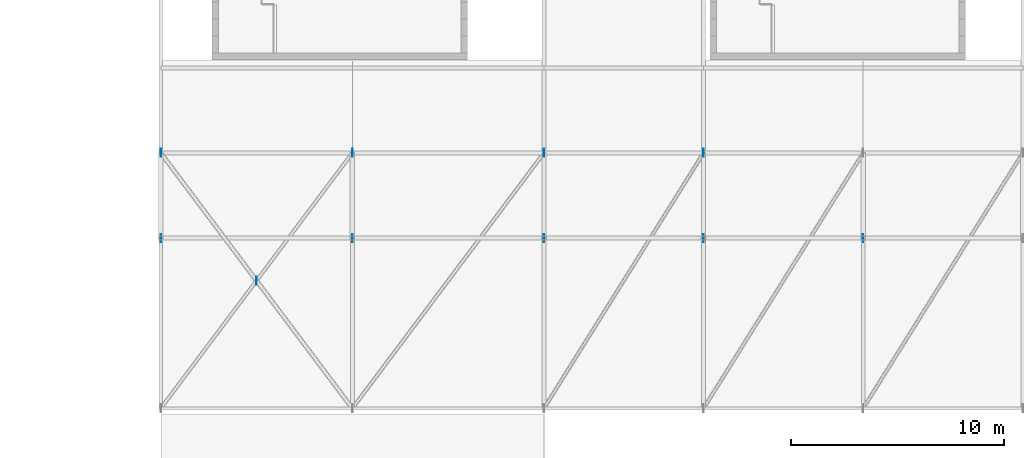
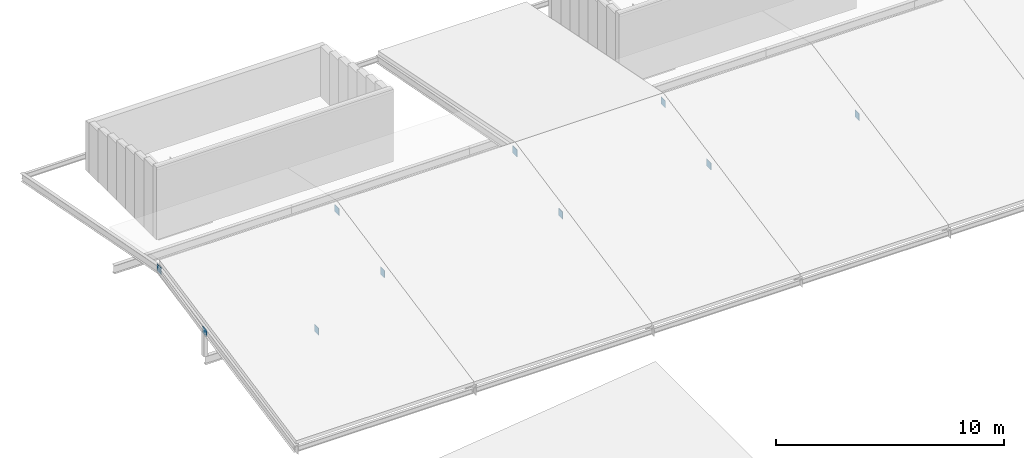
# One storey, part 71 of 93: 10 plates.
"""IFC4 building model written with IfcOpenShell, lengths in metres."""

import ifcopenshell
import ifcopenshell.guid

model = None  # the IFC model being written
_history = None  # IfcOwnerHistory: only IFC2X3 demands one
_inside = {}  # id of a spatial element -> (the spatial element, [elements in it])
_under = {}  # id of a project, library or spatial element -> (it, [spatial elements below it])
_declared = {}  # id of a project -> (the project, [libraries it declares])
_typed = {}  # id of a type object -> (the type object, [elements of that type])
_made_of = {}  # id of a material, layer set ... -> (it, [elements and type objects made of it])


def new_model(schema):
    """Start an empty IFC model of exactly this schema.

    Asked for "IFC4X3", IfcOpenShell would pick the latest addendum, in which some entities
    have other attributes; the version numbers below select the first issue.
    IFC2X3 requires an IfcOwnerHistory on every rooted entity: one is made here for all.
    """
    global model, _history
    if schema == "IFC4X3":
        model = ifcopenshell.file(schema_version=(4, 3, 0, 0))
    else:
        model = ifcopenshell.file(schema=schema)
    _inside.clear()
    _under.clear()
    _declared.clear()
    _typed.clear()
    _made_of.clear()
    _history = None
    if model.schema == "IFC2X3":
        org = make("IfcOrganization", Name="unknown")
        user = make(
            "IfcPersonAndOrganization",
            ThePerson=make("IfcPerson", FamilyName="unknown"),
            TheOrganization=org,
        )
        app = make(
            "IfcApplication",
            ApplicationDeveloper=org,
            Version="unknown",
            ApplicationFullName="unknown",
            ApplicationIdentifier="unknown",
        )
        _history = make(
            "IfcOwnerHistory",
            OwningUser=user,
            OwningApplication=app,
            ChangeAction="ADDED",
            CreationDate=0,
        )
    return model


def make(cls, **values):
    """One entity of the class cls with the attributes given. An attribute that is None is left unset."""
    return model.create_entity(
        cls, **{name: value for name, value in values.items() if value is not None}
    )


def rooted(cls, **values):
    """An entity with a GlobalId (a new one), such as an element, a storey or a relation."""
    return make(cls, GlobalId=ifcopenshell.guid.new(), OwnerHistory=_history, **values)


def si_unit(unit_type, name, prefix=None):
    """IfcSIUnit, for example si_unit("LENGTHUNIT", "METRE", prefix="MILLI")."""
    return make("IfcSIUnit", UnitType=unit_type, Prefix=prefix, Name=name)


def assignment(units):
    """IfcUnitAssignment: the units of a project."""
    return None if units is None else make("IfcUnitAssignment", Units=units)


def point(xyz):
    """IfcCartesianPoint."""
    return None if xyz is None else make("IfcCartesianPoint", Coordinates=xyz)


def direction(xyz):
    """IfcDirection."""
    return None if xyz is None else make("IfcDirection", DirectionRatios=xyz)


def frame(location, z_axis=None, x_axis=None):
    """IfcAxis2Placement3D, a coordinate frame: its origin and axes. An axis left out is left unset."""
    return make(
        "IfcAxis2Placement3D",
        Location=point(location),
        Axis=direction(z_axis),
        RefDirection=direction(x_axis),
    )


def frame_2d(location, x_axis=None):
    """IfcAxis2Placement2D, a coordinate frame in the plane: its origin and x axis."""
    return make(
        "IfcAxis2Placement2D", Location=point(location), RefDirection=direction(x_axis)
    )


def origin():
    """The frame at (0, 0, 0) with its axes left unset."""
    return frame((0.0, 0.0, 0.0))


def origin_2d():
    """The frame at (0, 0) in the plane with its x axis left unset."""
    return frame_2d((0.0, 0.0))


def place(relative_to, where):
    """IfcLocalPlacement: puts the frame where relative to a parent placement (None: the world)."""
    return make(
        "IfcLocalPlacement", PlacementRelTo=relative_to, RelativePlacement=where
    )


def context(
    kind, dimensions, precision=None, world=None, true_north=None, identifier=None
):
    """IfcGeometricRepresentationContext, for example the 3D "Model" context."""
    return make(
        "IfcGeometricRepresentationContext",
        ContextIdentifier=identifier,
        ContextType=kind,
        CoordinateSpaceDimension=dimensions,
        Precision=precision,
        WorldCoordinateSystem=world,
        TrueNorth=true_north,
    )


def subcontext(parent, identifier, kind, view, scale=None):
    """IfcGeometricRepresentationSubContext, for example "Body" below "Model"."""
    return make(
        "IfcGeometricRepresentationSubContext",
        ContextIdentifier=identifier,
        ContextType=kind,
        ParentContext=parent,
        TargetScale=scale,
        TargetView=view,
    )


def project(units=None, contexts=None):
    """IfcProject with its units and contexts."""
    return rooted(
        "IfcProject",
        Name="project",
        RepresentationContexts=contexts,
        UnitsInContext=assignment(units),
    )


def spatial(cls, under=None, at=None, **own):
    """A site, building, storey or space (cls), placed at a placement, below another one or the project."""
    s = rooted(cls, ObjectPlacement=at, **own)
    if under is not None:
        _under.setdefault(under.id(), (under, []))[1].append(s)
    return s


def profile(cls, at=None, kind="AREA", **sizes):
    """A parametric profile (cls). Its sizes go by their IFC names, for example OverallWidth=200.0."""
    return make(cls, ProfileType=kind, Position=at, **sizes)


def rectangle(**sizes):
    """IfcRectangleProfileDef."""
    return profile("IfcRectangleProfileDef", **sizes)


def extrude(swept, where, along, depth):
    """IfcExtrudedAreaSolid: the profile swept, set in the frame where, extruded along a direction by depth."""
    return make(
        "IfcExtrudedAreaSolid",
        SweptArea=swept,
        Position=where,
        ExtrudedDirection=direction(along),
        Depth=depth,
    )


def shape(context_of_items, identifier, shape_type, items):
    """IfcShapeRepresentation: the items that make up one representation, for example the "Body"."""
    return make(
        "IfcShapeRepresentation",
        ContextOfItems=context_of_items,
        RepresentationIdentifier=identifier,
        RepresentationType=shape_type,
        Items=items,
    )


def material(Name=None, Category=None):
    """IfcMaterial."""
    return make("IfcMaterial", Name=Name, Category=Category)


def layer(
    of_material, thickness, ventilated=None, Name=None, Category=None, Priority=None
):
    """IfcMaterialLayer: one layer of a wall or slab, of a material (None: an air gap)."""
    return make(
        "IfcMaterialLayer",
        Material=of_material,
        LayerThickness=thickness,
        IsVentilated=ventilated,
        Name=Name,
        Category=Category,
        Priority=Priority,
    )


def layer_set(layers, Name=None):
    """IfcMaterialLayerSet."""
    return make("IfcMaterialLayerSet", MaterialLayers=layers, LayerSetName=Name)


def made_of(thing, what):
    """Note that an element or type object is made of a material, layer set ...; save() writes the relation."""
    if what is not None:
        _made_of.setdefault(what.id(), (what, []))[1].append(thing)
    return thing


def type_object(cls, material=None, **own):
    """A type object (cls), such as IfcWallType, which elements share."""
    return made_of(rooted(cls, **own), material)


def element(
    cls,
    number,
    at=None,
    inside=None,
    cuts=None,
    type_object=None,
    material=None,
    context=None,
    identifier="Body",
    shape_type=None,
    held_by="IfcProductDefinitionShape",
    body=None,
    shapes=None,
    **own,
):
    """One element of the class cls, such as IfcWall. Its Tag is "e" and its number.

    at: its placement. inside: the storey or other place that contains it. cuts: it is an
    opening in that element (IfcRelVoidsElement). A single representation is given by context,
    identifier, shape_type and body (its items); several are given by shapes. held_by: the class
    of the entity that holds the representations. save() writes the other relations.
    """
    e = rooted(cls, Tag="e%d" % number, ObjectPlacement=at, **own)
    if body is not None:
        shapes = [shape(context, identifier, shape_type, body)]
    if shapes is not None:
        e.Representation = make(held_by, Representations=shapes)
    if inside is not None:
        _inside.setdefault(inside.id(), (inside, []))[1].append(e)
    if cuts is not None:
        rooted(
            "IfcRelVoidsElement", RelatingBuildingElement=cuts, RelatedOpeningElement=e
        )
    if type_object is not None:
        _typed.setdefault(type_object.id(), (type_object, []))[1].append(e)
    return made_of(e, material)


def aggregate(whole, parts):
    """IfcRelAggregates: a whole, such as a stair, and the parts it consists of."""
    return rooted("IfcRelAggregates", RelatingObject=whole, RelatedObjects=parts)


def save(model, path):
    """Write the relations noted so far, then the file.

    IfcRelAggregates (storeys below a building ...), IfcRelContainedInSpatialStructure (elements
    in a storey), IfcRelDefinesByType, IfcRelAssociatesMaterial and IfcRelDeclares: one each for
    every whole, place, type object, material and project.
    """
    for whole, parts in _under.values():
        aggregate(whole, parts)
    for where, things in _inside.values():
        rooted(
            "IfcRelContainedInSpatialStructure",
            RelatedElements=things,
            RelatingStructure=where,
        )
    for kind, things in _typed.values():
        rooted("IfcRelDefinesByType", RelatedObjects=things, RelatingType=kind)
    for what, things in _made_of.values():
        rooted("IfcRelAssociatesMaterial", RelatedObjects=things, RelatingMaterial=what)
    for by, libraries in _declared.values():
        rooted("IfcRelDeclares", RelatingContext=by, RelatedDefinitions=libraries)
    model.write(path)


model = new_model("IFC4")

# Units and contexts
model_context = context("Model", 3, precision=1e-05, world=origin(), true_north=direction((0.0, 1.0)))
body_context = subcontext(model_context, "Body", "Model", "MODEL_VIEW")
ifc_project = project(units=[si_unit("LENGTHUNIT", "METRE"), si_unit("AREAUNIT", "SQUARE_METRE"), si_unit("VOLUMEUNIT", "CUBIC_METRE"), si_unit("PLANEANGLEUNIT", "RADIAN"), si_unit("MASSUNIT", "GRAM", prefix="KILO")], contexts=[model_context])

# Site, building, storey
site_placement = place(None, origin())
site = spatial("IfcSite", under=ifc_project, at=site_placement, CompositionType="ELEMENT")
building_placement = place(site_placement, origin())
building = spatial("IfcBuilding", under=site, at=building_placement, Name="Vourika Railside Aquatics Centre", CompositionType="ELEMENT")
storey_placement = place(building_placement, frame((0.0, 0.0, 21.89990234375)))
storey = spatial("IfcBuildingStorey", under=building, at=storey_placement, Name="Roof", CompositionType="ELEMENT", Elevation=21.89990234375)

# Plates
ifc_material = material(Name="Steel S355J2", Category="steel")
ifc_layer = layer(ifc_material, 0.3798828125, Name="PLT-ECAP-22x380x380")
ifc_layer_set = layer_set([ifc_layer], Name="Steel S355J2")
plate_type = type_object("IfcPlateType", Name="PLT-ECAP-22x380x380", PredefinedType="USERDEFINED", material=ifc_layer_set)
for number, where, z_axis, x_axis, name in (
    (1, (27.0, 104.0, 1.76025390625), (0.0, 0.0, 1.0), (1.0, 0.0, 0.0), "Steel Brace End Knife Plate BP-0360"),
    (2, (18.0, 100.0, 0.860107421875), (0.0, 0.0, 1.0), (1.0, 0.0, 0.0), "Steel Brace End Knife Plate BP-0361"),
    (3, (18.0, 104.0, 1.76025390625), (0.0, 0.0, 1.0), (1.0, 0.0, 0.0), "Steel Brace End Knife Plate BP-0362"),
    (4, (22.5, 98.0, 0.59521484375), (0.0, 0.0, 1.0), (1.0, 0.0, 0.0), "Steel X-Brace Crossing Knife Gusset BP-0363"),
    (5, (36.0, 104.0, 1.76025390625), (0.0, 0.0, 1.0), (1.0, 0.0, 0.0), "Steel Brace End Knife Plate BP-0365"),
    (6, (27.0, 100.0, 0.860107421875), (0.0, 0.0, 1.0), (1.0, 0.0, 0.0), "Steel Brace End Knife Plate BP-0366"),
    (7, (43.5, 104.0, 1.76025390625), (0.0, 0.0, 1.0), (1.0, 0.0, 0.0), "Steel Brace End Knife Plate BP-0368"),
    (8, (36.0, 100.0, 0.860107421875), (0.0, 0.0, 1.0), (1.0, 0.0, 0.0), "Steel Brace End Knife Plate BP-0369"),
    (9, (43.5, 100.0, 0.860107421875), (0.0, 0.0, 1.0), (1.0, 0.0, 0.0), "Steel Brace End Knife Plate BP-0372"),
    (10, (51.0, 100.0, 0.860107421875), (0.0, 0.0, 1.0), (1.0, 0.0, 0.0), "Steel Brace End Knife Plate BP-0375"),
):
    element("IfcPlate", number, at=place(storey_placement, frame(where, z_axis=z_axis, x_axis=x_axis)), inside=storey, type_object=plate_type, Name=name, ObjectType="BASE PLATE", PredefinedType="USERDEFINED", context=body_context, shape_type="SweptSolid", body=[
        extrude(rectangle(XDim=0.02197265625, YDim=0.3798828125, at=origin_2d()), origin(), (0.0, 0.0, 1.0), 0.3798828125),
    ])

save(model, "model.ifc")
